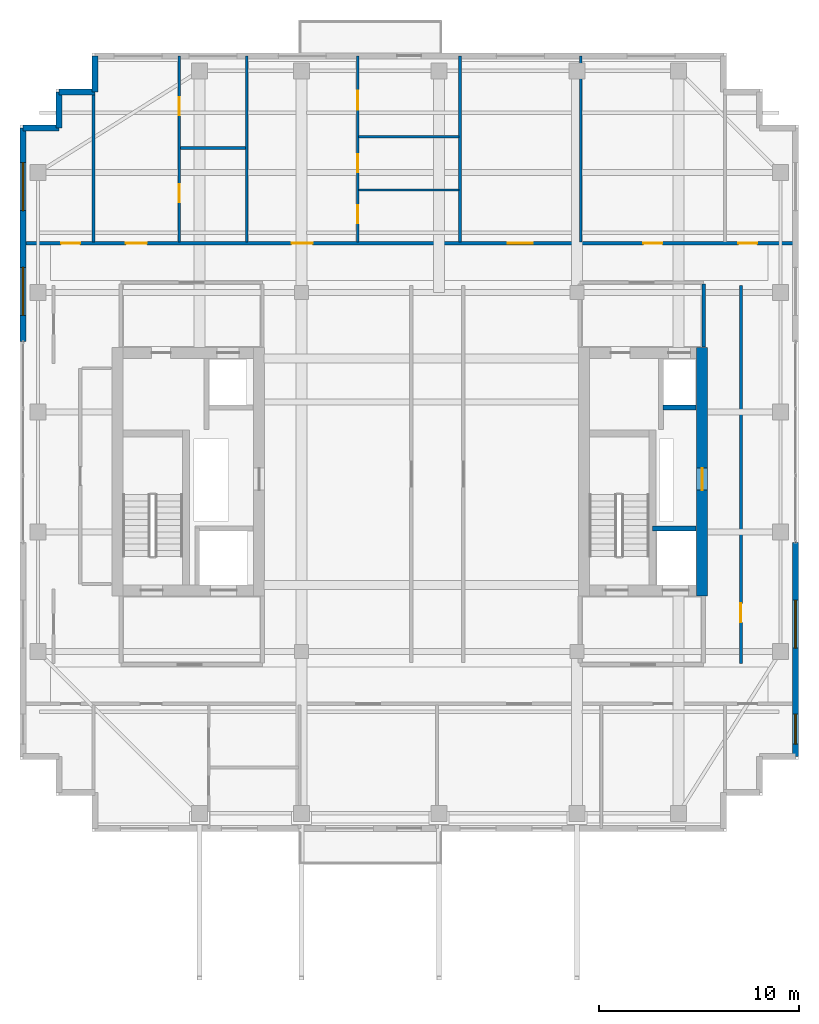
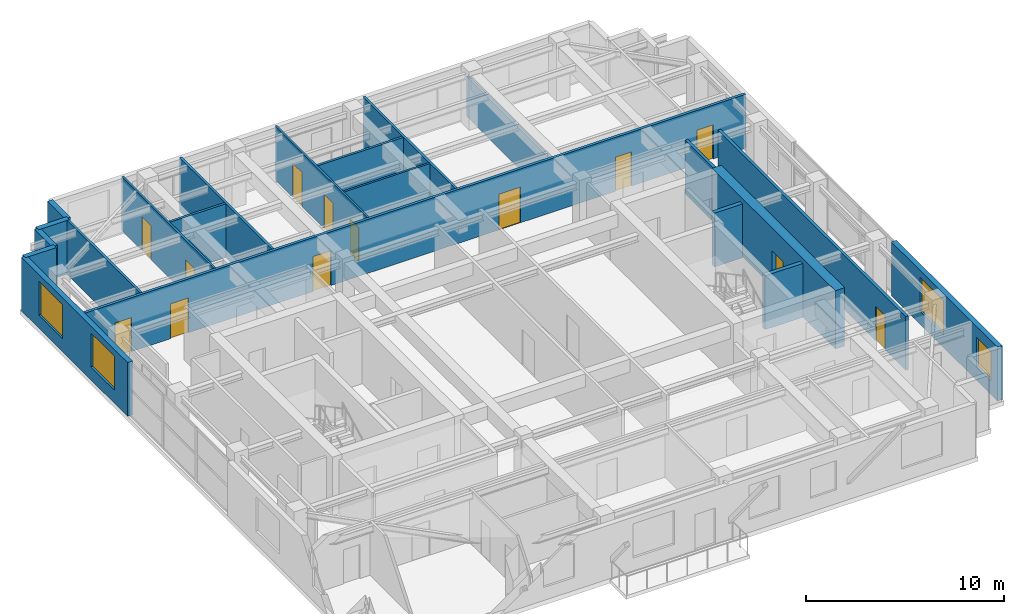
# One storey, part 10 of 14: 21 walls, 13 doors, 4 windows, 17 openings.
"""IFC4 building model written with IfcOpenShell, lengths in metres."""

from ifc_helpers import new_model, si_unit, direction, frame, frame_2d, origin, place, context, subcontext, project, spatial, rectangle, extrude, source, transform, mapped, material, layer, layer_set, type_object, element, fill, save


model = new_model("IFC4")

# Units and contexts
model_context = context("Model", 3, precision=1e-05, world=origin(), true_north=direction((0.0, 1.0)))
body_context = subcontext(model_context, "Body", "Model", "MODEL_VIEW")
ifc_project = project(units=[si_unit("LENGTHUNIT", "METRE"), si_unit("AREAUNIT", "SQUARE_METRE"), si_unit("VOLUMEUNIT", "CUBIC_METRE"), si_unit("PLANEANGLEUNIT", "RADIAN"), si_unit("MASSUNIT", "GRAM", prefix="KILO")], contexts=[model_context])

# Site, building, storey
site_placement = place(None, origin())
site = spatial("IfcSite", under=ifc_project, at=site_placement, CompositionType="ELEMENT")
building_placement = place(site_placement, origin())
building = spatial("IfcBuilding", under=site, at=building_placement, Name="Khoralis Quay Care Tower", CompositionType="ELEMENT")
storey_placement = place(building_placement, frame((0.0, 0.0, 274.5)))
storey = spatial("IfcBuildingStorey", under=building, at=storey_placement, Name="L72", CompositionType="ELEMENT", Elevation=274.5)

# Wall, opening, door
ifc_material_1 = material(Name="Concrete C65/80", Category="concrete")
ifc_layer_1 = layer(ifc_material_1, 0.550048828125)
ifc_layer_set_1 = layer_set([ifc_layer_1], Name="Concrete C65/80")
wall_type_1 = type_object("IfcWallType", Name="WL-CORE-550", PredefinedType="SHEAR", material=ifc_layer_set_1)
wall_1_placement = place(storey_placement, frame((37.175048828125, 14.800048828125, 0.0), z_axis=(0.0, 0.0, 1.0), x_axis=(0.0, 1.0, 0.0)))
wall_1 = element("IfcWall", 1, at=wall_1_placement, inside=storey, type_object=wall_type_1, Name="L72 ECORE East Shear Wall", PredefinedType="SHEAR", context=body_context, shape_type="SweptSolid", body=[
    extrude(rectangle(XDim=12.449951171875, YDim=0.550048828125, at=frame_2d((6.22509765625, 0.0))), origin(), (0.0, 0.0, 1.0), 3.60009765625),
])
opening_1_placement = place(wall_1_placement, frame((5.300048828125, 0.0, 0.0)))
opening_1 = element("IfcOpeningElement", 2, at=opening_1_placement, cuts=wall_1, Name="Opening SD1", PredefinedType="OPENING", context=body_context, shape_type="SweptSolid", body=[
    extrude(rectangle(XDim=1.10009765625, YDim=2.199951171875, at=frame_2d((0.550048828125, 1.10009765625))), frame((0.0, 0.28515625, 0.0), z_axis=(0.0, -1.0, 0.0), x_axis=(1.0, 0.0, 0.0)), (0.0, 0.0, 1.0), 0.570068359375),
])
ifc_material_2 = material(Name="Fire-rated painted steel", Category="steel")
door_type_1 = type_object("IfcDoorType", Name="DR-STAIR-1100X2200", OperationType="NOTDEFINED", PredefinedType="DOOR", material=ifc_material_2)
shared_shape_1 = source(origin(), body_context, "Body", "SweptSolid", [
    extrude(rectangle(XDim=1.10009765625, YDim=2.199951171875, at=frame_2d((0.550048828125, 1.10009765625))), frame((0.0, 0.02490234375, 0.0), z_axis=(0.0, -1.0, 0.0), x_axis=(1.0, 0.0, 0.0)), (0.0, 0.0, 1.0), 0.050048828125),
])
door_1_placement = place(opening_1_placement, frame((1.10009765625, 0.0, 0.0), z_axis=(0.0, 0.0, 1.0), x_axis=(-1.0, 0.0, 0.0)))
door_1 = element("IfcDoor", 3, at=door_1_placement, inside=storey, type_object=door_type_1, Name="L72 East MEP Riser Door", OperationType="SINGLE_SWING_LEFT", OverallHeight=2.199951171875, OverallWidth=1.10009765625, PredefinedType="DOOR", context=body_context, shape_type="MappedRepresentation", body=[
    mapped(shared_shape_1, transform((0.0, 0.0, 0.0), scale=1.0)),
])
fill(opening_1, door_1)

# Wall
ifc_material_3 = material(Name="Gypsum plasterboard on acoustic metal stud")
ifc_layer_2 = layer(ifc_material_3, 0.1650390625)
ifc_layer_set_2 = layer_set([ifc_layer_2], Name="Gypsum plasterboard on acoustic metal stud")
wall_type_2 = type_object("IfcWallType", Name="WL-CORR-165", PredefinedType="PARTITIONING", material=ifc_layer_set_2)
wall_2_placement = place(storey_placement, frame((37.25, 27.27001953125, 0.0), z_axis=(0.0, 0.0, 1.0), x_axis=(0.0, 1.0, 0.0)))
element("IfcWall", 4, at=wall_2_placement, inside=storey, type_object=wall_type_2, Name="L72 East Lift Lobby East Wall", PredefinedType="PARTITIONING", context=body_context, shape_type="SweptSolid", body=[
    extrude(rectangle(XDim=3.152587890625, YDim=0.1650390625, at=frame_2d((1.576171875, 0.0))), origin(), (0.0, 0.0, 1.0), 3.320068359375),
])

# Wall, openings, doors
wall_3_placement = place(storey_placement, frame((3.14501953125, 32.4599609375, 0.0), z_axis=(0.0, 0.0, 1.0), x_axis=(1.0, 0.0, 0.0)))
wall_3 = element("IfcWall", 5, at=wall_3_placement, inside=storey, type_object=wall_type_2, Name="L72 North Main Corridor Wall", PredefinedType="PARTITIONING", context=body_context, shape_type="SweptSolid", body=[
    extrude(rectangle(XDim=38.7099609375, YDim=0.1650390625, at=frame_2d((19.35498046875, 0.0))), origin(), (0.0, 0.0, 1.0), 3.320068359375),
])
opening_2_placement = place(wall_3_placement, frame((5.160400390625, 0.0, 0.0)))
opening_2 = element("IfcOpeningElement", 6, at=opening_2_placement, cuts=wall_3, Name="Opening UD1", PredefinedType="OPENING", context=body_context, shape_type="SweptSolid", body=[
    extrude(rectangle(XDim=1.050048828125, YDim=2.14990234375, at=frame_2d((0.52490234375, 1.074951171875))), frame((0.0, 0.092529296875, 0.0), z_axis=(0.0, -1.0, 0.0), x_axis=(1.0, 0.0, 0.0)), (0.0, 0.0, 1.0), 0.18505859375),
])
opening_3_placement = place(wall_3_placement, frame((13.469482421875, 0.0, 0.0)))
opening_3 = element("IfcOpeningElement", 7, at=opening_3_placement, cuts=wall_3, Name="Opening UD1", PredefinedType="OPENING", context=body_context, shape_type="SweptSolid", body=[
    extrude(rectangle(XDim=1.050048828125, YDim=2.14990234375, at=frame_2d((0.52490234375, 1.074951171875))), frame((0.0, 0.092529296875, 0.0), z_axis=(0.0, -1.0, 0.0), x_axis=(1.0, 0.0, 0.0)), (0.0, 0.0, 1.0), 0.18505859375),
])
opening_4_placement = place(wall_3_placement, frame((24.300048828125, 0.0, 0.0)))
opening_4 = element("IfcOpeningElement", 8, at=opening_4_placement, cuts=wall_3, Name="Opening CD1", PredefinedType="OPENING", context=body_context, shape_type="SweptSolid", body=[
    extrude(rectangle(XDim=1.25, YDim=2.199951171875, at=frame_2d((0.625, 1.10009765625))), frame((0.0, 0.092529296875, 0.0), z_axis=(0.0, -1.0, 0.0), x_axis=(1.0, 0.0, 0.0)), (0.0, 0.0, 1.0), 0.18505859375),
])
opening_5_placement = place(wall_3_placement, frame((31.0849609375, 0.0, 0.0)))
opening_5 = element("IfcOpeningElement", 9, at=opening_5_placement, cuts=wall_3, Name="Opening ID1", PredefinedType="OPENING", context=body_context, shape_type="SweptSolid", body=[
    extrude(rectangle(XDim=0.949951171875, YDim=2.10009765625, at=frame_2d((0.47509765625, 1.050048828125))), frame((0.0, 0.092529296875, 0.0), z_axis=(0.0, -1.0, 0.0), x_axis=(1.0, 0.0, 0.0)), (0.0, 0.0, 1.0), 0.18505859375),
])
opening_6_placement = place(wall_3_placement, frame((1.919921875, 0.0, 0.0)))
opening_6 = element("IfcOpeningElement", 10, at=opening_6_placement, cuts=wall_3, Name="Opening ID1", PredefinedType="OPENING", context=body_context, shape_type="SweptSolid", body=[
    extrude(rectangle(XDim=0.949951171875, YDim=2.10009765625, at=frame_2d((0.47509765625, 1.050048828125))), frame((0.0, 0.092529296875, 0.0), z_axis=(0.0, -1.0, 0.0), x_axis=(1.0, 0.0, 0.0)), (0.0, 0.0, 1.0), 0.18505859375),
])
opening_7_placement = place(wall_3_placement, frame((35.840087890625, 0.0, 0.0)))
opening_7 = element("IfcOpeningElement", 11, at=opening_7_placement, cuts=wall_3, Name="Opening ID1", PredefinedType="OPENING", context=body_context, shape_type="SweptSolid", body=[
    extrude(rectangle(XDim=0.949951171875, YDim=2.10009765625, at=frame_2d((0.47509765625, 1.050048828125))), frame((0.0, 0.092529296875, 0.0), z_axis=(0.0, -1.0, 0.0), x_axis=(1.0, 0.0, 0.0)), (0.0, 0.0, 1.0), 0.18505859375),
])
ifc_material_4 = material(Name="Acoustic hardwood timber", Category="wood")
door_type_2 = type_object("IfcDoorType", Name="DR-CARE-1250X2200", OperationType="NOTDEFINED", PredefinedType="DOOR", material=ifc_material_4)
shared_shape_2 = source(origin(), body_context, "Body", "SweptSolid", [
    extrude(rectangle(XDim=1.25, YDim=2.199951171875, at=frame_2d((0.625, 1.10009765625))), frame((0.0, 0.02490234375, 0.0), z_axis=(0.0, -1.0, 0.0), x_axis=(1.0, 0.0, 0.0)), (0.0, 0.0, 1.0), 0.050048828125),
])
door_2_placement = place(opening_4_placement, origin())
door_2 = element("IfcDoor", 12, at=door_2_placement, inside=storey, type_object=door_type_2, Name="L72 Physiotherapy Treatment Clinic Door", OperationType="SINGLE_SWING_RIGHT", OverallHeight=2.199951171875, OverallWidth=1.25, PredefinedType="DOOR", context=body_context, shape_type="MappedRepresentation", body=[
    mapped(shared_shape_2, transform((0.0, 0.0, 0.0), scale=1.0)),
])
fill(opening_4, door_2)
door_type_3 = type_object("IfcDoorType", Name="DR-ROOM-950X2100", OperationType="NOTDEFINED", PredefinedType="DOOR", material=ifc_material_4)
shared_shape_3 = source(origin(), body_context, "Body", "SweptSolid", [
    extrude(rectangle(XDim=0.949951171875, YDim=2.10009765625, at=frame_2d((0.47509765625, 1.050048828125))), frame((0.0, 0.02490234375, 0.0), z_axis=(0.0, -1.0, 0.0), x_axis=(1.0, 0.0, 0.0)), (0.0, 0.0, 1.0), 0.050048828125),
])
door_3_placement = place(opening_5_placement, origin())
door_3 = element("IfcDoor", 13, at=door_3_placement, inside=storey, type_object=door_type_3, Name="L72 Family Case Conference Room Door", OperationType="SINGLE_SWING_RIGHT", OverallHeight=2.10009765625, OverallWidth=0.949951171875, PredefinedType="DOOR", context=body_context, shape_type="MappedRepresentation", body=[
    mapped(shared_shape_3, transform((0.0, 0.0, 0.0), scale=1.0)),
])
fill(opening_5, door_3)
door_4_placement = place(opening_6_placement, origin())
door_4 = element("IfcDoor", 14, at=door_4_placement, inside=storey, type_object=door_type_3, Name="L72 NW Corner Door", OperationType="SINGLE_SWING_RIGHT", OverallHeight=2.10009765625, OverallWidth=0.949951171875, PredefinedType="DOOR", context=body_context, shape_type="MappedRepresentation", body=[
    mapped(shared_shape_3, transform((0.0, 0.0, 0.0), scale=1.0)),
])
fill(opening_6, door_4)
door_5_placement = place(opening_7_placement, origin())
door_5 = element("IfcDoor", 15, at=door_5_placement, inside=storey, type_object=door_type_3, Name="L72 NE Corner Door", OperationType="SINGLE_SWING_LEFT", OverallHeight=2.10009765625, OverallWidth=0.949951171875, PredefinedType="DOOR", context=body_context, shape_type="MappedRepresentation", body=[
    mapped(shared_shape_3, transform((0.0, 0.0, 0.0), scale=1.0)),
])
fill(opening_7, door_5)
door_type_4 = type_object("IfcDoorType", Name="DR-SUITE-1050X2150", OperationType="NOTDEFINED", PredefinedType="DOOR", material=ifc_material_4)
shared_shape_4 = source(origin(), body_context, "Body", "SweptSolid", [
    extrude(rectangle(XDim=1.050048828125, YDim=2.14990234375, at=frame_2d((0.52490234375, 1.074951171875))), frame((0.0, 0.02490234375, 0.0), z_axis=(0.0, -1.0, 0.0), x_axis=(1.0, 0.0, 0.0)), (0.0, 0.0, 1.0), 0.050048828125),
])
door_6_placement = place(opening_2_placement, origin())
door_6 = element("IfcDoor", 16, at=door_6_placement, inside=storey, type_object=door_type_4, Name="L72 Studio NB0 Entrance", OperationType="SINGLE_SWING_RIGHT", OverallHeight=2.14990234375, OverallWidth=1.050048828125, PredefinedType="DOOR", context=body_context, shape_type="MappedRepresentation", body=[
    mapped(shared_shape_4, transform((0.0, 0.0, 0.0), scale=1.0)),
])
fill(opening_2, door_6)
door_7_placement = place(opening_3_placement, origin())
door_7 = element("IfcDoor", 17, at=door_7_placement, inside=storey, type_object=door_type_4, Name="L72 Apartment NB1 Entrance Door", OperationType="SINGLE_SWING_LEFT", OverallHeight=2.14990234375, OverallWidth=1.050048828125, PredefinedType="DOOR", context=body_context, shape_type="MappedRepresentation", body=[
    mapped(shared_shape_4, transform((0.0, 0.0, 0.0), scale=1.0)),
])
fill(opening_3, door_7)

# Wall, opening, door
wall_4_placement = place(storey_placement, frame((39.1201171875, 11.39990234375, 0.0), z_axis=(0.0, 0.0, 1.0), x_axis=(0.0, 1.0, 0.0)))
wall_4 = element("IfcWall", 18, at=wall_4_placement, inside=storey, type_object=wall_type_2, Name="L72 East Sky Suite Wall", PredefinedType="PARTITIONING", context=body_context, shape_type="SweptSolid", body=[
    extrude(rectangle(XDim=18.9501953125, YDim=0.1650390625, at=frame_2d((9.47509765625, 0.0))), origin(), (0.0, 0.0, 1.0), 3.320068359375),
])
opening_8_placement = place(wall_4_placement, frame((2.074951171875, 0.0, 0.0)))
opening_8 = element("IfcOpeningElement", 19, at=opening_8_placement, cuts=wall_4, Name="Opening ID1", PredefinedType="OPENING", context=body_context, shape_type="SweptSolid", body=[
    extrude(rectangle(XDim=0.949951171875, YDim=2.10009765625, at=frame_2d((0.47509765625, 1.050048828125))), frame((0.0, 0.092529296875, 0.0), z_axis=(0.0, -1.0, 0.0), x_axis=(1.0, 0.0, 0.0)), (0.0, 0.0, 1.0), 0.18505859375),
])
door_8_placement = place(opening_8_placement, origin())
door_8 = element("IfcDoor", 20, at=door_8_placement, inside=storey, type_object=door_type_3, Name="L72 East Suite Door", OperationType="SINGLE_SWING_RIGHT", OverallHeight=2.10009765625, OverallWidth=0.949951171875, PredefinedType="DOOR", context=body_context, shape_type="MappedRepresentation", body=[
    mapped(shared_shape_3, transform((0.0, 0.0, 0.0), scale=1.0)),
])
fill(opening_8, door_8)

# Wall, openings, windows
ifc_material_5 = material(Name="Precast concrete C45/55", Category="concrete")
ifc_layer_3 = layer(ifc_material_5, 0.300048828125)
ifc_layer_set_3 = layer_set([ifc_layer_3], Name="Precast concrete C45/55")
wall_type_3 = type_object("IfcWallType", Name="WL-EXT-REF-300", PredefinedType="SOLIDWALL", material=ifc_layer_set_3)
wall_5_placement = place(storey_placement, frame((41.85009765625, 6.75, 0.0), z_axis=(0.0, 0.0, 1.0), x_axis=(0.0, 1.0, 0.0)))
wall_5 = element("IfcWall", 21, at=wall_5_placement, inside=storey, type_object=wall_type_3, Name="L72 External Facade Wall WL-EXT-L72-P1-E5A", PredefinedType="SOLIDWALL", context=body_context, shape_type="SweptSolid", body=[
    extrude(rectangle(XDim=10.7099609375, YDim=0.300048828125, at=frame_2d((5.35498046875, 0.0))), origin(), (0.0, 0.0, 1.0), 3.320068359375),
])
opening_9_placement = place(wall_5_placement, frame((0.625, 0.0, 0.85009765625)))
opening_9 = element("IfcOpeningElement", 22, at=opening_9_placement, cuts=wall_5, Name="Opening W3", PredefinedType="OPENING", context=body_context, shape_type="SweptSolid", body=[
    extrude(rectangle(XDim=1.5, YDim=1.800048828125, at=frame_2d((0.75, 0.89990234375))), frame((0.0, 0.16015625, 0.0), z_axis=(0.0, -1.0, 0.0), x_axis=(1.0, 0.0, 0.0)), (0.0, 0.0, 1.0), 0.320068359375),
])
opening_10_placement = place(wall_5_placement, frame((5.429931640625, 0.0, 0.800048828125)))
opening_10 = element("IfcOpeningElement", 23, at=opening_10_placement, cuts=wall_5, Name="Opening W1", PredefinedType="OPENING", context=body_context, shape_type="SweptSolid", body=[
    extrude(rectangle(XDim=2.39990234375, YDim=2.10009765625, at=frame_2d((1.199951171875, 1.050048828125))), frame((0.0, 0.16015625, 0.0), z_axis=(0.0, -1.0, 0.0), x_axis=(1.0, 0.0, 0.0)), (0.0, 0.0, 1.0), 0.320068359375),
])
ifc_material_6 = material(Name="Low-E solar-control double glazing", Category="glass")
window_type_1 = type_object("IfcWindowType", Name="WN-CLIN-1500X1800", PartitioningType="SINGLE_PANEL", PredefinedType="WINDOW", material=ifc_material_6)
shared_shape_5 = source(origin(), body_context, "Body", "SweptSolid", [
    extrude(rectangle(XDim=1.5, YDim=1.800048828125, at=frame_2d((0.75, 0.89990234375))), frame((0.0, 0.030029296875, 0.0), z_axis=(0.0, -1.0, 0.0), x_axis=(1.0, 0.0, 0.0)), (0.0, 0.0, 1.0), 0.06005859375),
])
window_1_placement = place(opening_9_placement, origin())
window_1 = element("IfcWindow", 24, at=window_1_placement, inside=storey, type_object=window_type_1, Name="WN-L72-P1-E5A Facade Window 01", OverallHeight=1.800048828125, OverallWidth=1.5, PartitioningType="SINGLE_PANEL", PredefinedType="WINDOW", context=body_context, shape_type="MappedRepresentation", body=[
    mapped(shared_shape_5, transform((0.0, 0.0, 0.0), scale=1.0)),
])
fill(opening_9, window_1)
window_type_2 = type_object("IfcWindowType", Name="WN-POD-2400X2100", PartitioningType="SINGLE_PANEL", PredefinedType="WINDOW", material=ifc_material_6)
shared_shape_6 = source(origin(), body_context, "Body", "SweptSolid", [
    extrude(rectangle(XDim=2.39990234375, YDim=2.10009765625, at=frame_2d((1.199951171875, 1.050048828125))), frame((0.0, 0.030029296875, 0.0), z_axis=(0.0, -1.0, 0.0), x_axis=(1.0, 0.0, 0.0)), (0.0, 0.0, 1.0), 0.06005859375),
])
window_2_placement = place(opening_10_placement, origin())
window_2 = element("IfcWindow", 25, at=window_2_placement, inside=storey, type_object=window_type_2, Name="WN-L72-P1-E5A Facade Window 02", OverallHeight=2.10009765625, OverallWidth=2.39990234375, PartitioningType="SINGLE_PANEL", PredefinedType="WINDOW", context=body_context, shape_type="MappedRepresentation", body=[
    mapped(shared_shape_6, transform((0.0, 0.0, 0.0), scale=1.0)),
])
fill(opening_10, window_2)

# Walls
for number, where, z_axis, x_axis, name in (
    (26, (6.75, 41.85009765625, 0.0), (0.0, 0.0, 1.0), (0.0, -1.0, 0.0), "L72 External Facade Wall WL-EXT-L72-P1-C11"),
    (27, (6.75, 40.050048828125, 0.0), (0.0, 0.0, 1.0), (-1.0, 0.0, 0.0), "L72 External Facade Wall WL-EXT-L72-P1-C12"),
    (28, (4.949951171875, 40.050048828125, 0.0), (0.0, 0.0, 1.0), (0.0, -1.0, 0.0), "L72 External Facade Wall WL-EXT-L72-P1-C13"),
    (29, (4.949951171875, 38.25, 0.0), (0.0, 0.0, 1.0), (-1.0, 0.0, 0.0), "L72 External Facade Wall WL-EXT-L72-P1-C14"),
):
    element("IfcWall", number, at=place(storey_placement, frame(where, z_axis=z_axis, x_axis=x_axis)), inside=storey, type_object=wall_type_3, Name=name, PredefinedType="SOLIDWALL", context=body_context, shape_type="SweptSolid", body=[
        extrude(rectangle(XDim=1.800048828125, YDim=0.300048828125, at=frame_2d((0.89990234375, 0.0))), origin(), (0.0, 0.0, 1.0), 3.320068359375),
    ])

# Wall, openings, windows
wall_6_placement = place(storey_placement, frame((3.14990234375, 38.25, 0.0), z_axis=(0.0, 0.0, 1.0), x_axis=(0.0, -1.0, 0.0)))
wall_6 = element("IfcWall", 30, at=wall_6_placement, inside=storey, type_object=wall_type_3, Name="L72 External Facade Wall WL-EXT-L72-P1-E15A", PredefinedType="SOLIDWALL", context=body_context, shape_type="SweptSolid", body=[
    extrude(rectangle(XDim=10.7099609375, YDim=0.300048828125, at=frame_2d((5.35498046875, 0.0))), origin(), (0.0, 0.0, 1.0), 3.320068359375),
])
opening_11_placement = place(wall_6_placement, frame((1.7451171875, 0.0, 0.800048828125)))
opening_11 = element("IfcOpeningElement", 31, at=opening_11_placement, cuts=wall_6, Name="Opening W1", PredefinedType="OPENING", context=body_context, shape_type="SweptSolid", body=[
    extrude(rectangle(XDim=2.39990234375, YDim=2.10009765625, at=frame_2d((1.199951171875, 1.050048828125))), frame((0.0, 0.16015625, 0.0), z_axis=(0.0, -1.0, 0.0), x_axis=(1.0, 0.0, 0.0)), (0.0, 0.0, 1.0), 0.320068359375),
])
opening_12_placement = place(wall_6_placement, frame((7.0, 0.0, 0.800048828125)))
opening_12 = element("IfcOpeningElement", 32, at=opening_12_placement, cuts=wall_6, Name="Opening W1", PredefinedType="OPENING", context=body_context, shape_type="SweptSolid", body=[
    extrude(rectangle(XDim=2.39990234375, YDim=2.10009765625, at=frame_2d((1.199951171875, 1.050048828125))), frame((0.0, 0.16015625, 0.0), z_axis=(0.0, -1.0, 0.0), x_axis=(1.0, 0.0, 0.0)), (0.0, 0.0, 1.0), 0.320068359375),
])
window_3_placement = place(opening_11_placement, origin())
window_3 = element("IfcWindow", 33, at=window_3_placement, inside=storey, type_object=window_type_2, Name="WN-L72-P1-E15A Facade Window 01", OverallHeight=2.10009765625, OverallWidth=2.39990234375, PartitioningType="SINGLE_PANEL", PredefinedType="WINDOW", context=body_context, shape_type="MappedRepresentation", body=[
    mapped(shared_shape_6, transform((0.0, 0.0, 0.0), scale=1.0)),
])
fill(opening_11, window_3)
window_4_placement = place(opening_12_placement, origin())
window_4 = element("IfcWindow", 34, at=window_4_placement, inside=storey, type_object=window_type_2, Name="WN-L72-P1-E15A Facade Window 02", OverallHeight=2.10009765625, OverallWidth=2.39990234375, PartitioningType="SINGLE_PANEL", PredefinedType="WINDOW", context=body_context, shape_type="MappedRepresentation", body=[
    mapped(shared_shape_6, transform((0.0, 0.0, 0.0), scale=1.0)),
])
fill(opening_12, window_4)

# Wall, openings, doors
ifc_layer_4 = layer(ifc_material_3, 0.114990234375)
ifc_layer_set_4 = layer_set([ifc_layer_4], Name="Gypsum plasterboard on acoustic metal stud")
wall_type_4 = type_object("IfcWallType", Name="WL-PART-115", PredefinedType="PARTITIONING", material=ifc_layer_set_4)
wall_7_placement = place(storey_placement, frame((10.98095703125, 32.53759765625, 0.0), z_axis=(0.0, 0.0, 1.0), x_axis=(0.0, 1.0, 0.0)))
wall_7 = element("IfcWall", 35, at=wall_7_placement, inside=storey, type_object=wall_type_4, Name="L72 Studio 0 Internal Wall", PredefinedType="PARTITIONING", context=body_context, shape_type="SweptSolid", body=[
    extrude(rectangle(XDim=9.3173828125, YDim=0.114990234375, at=frame_2d((4.65869140625, 0.0))), origin(), (0.0, 0.0, 1.0), 3.320068359375),
])
opening_13_placement = place(wall_7_placement, frame((6.3525390625, 0.0, 0.0)))
opening_13 = element("IfcOpeningElement", 36, at=opening_13_placement, cuts=wall_7, Name="Opening WD1", PredefinedType="OPENING", context=body_context, shape_type="SweptSolid", body=[
    extrude(rectangle(XDim=0.89990234375, YDim=2.10009765625, at=frame_2d((0.449951171875, 1.050048828125))), frame((0.0, 0.0673828125, 0.0), z_axis=(0.0, -1.0, 0.0), x_axis=(1.0, 0.0, 0.0)), (0.0, 0.0, 1.0), 0.135009765625),
])
opening_14_placement = place(wall_7_placement, frame((1.972412109375, 0.0, 0.0)))
opening_14 = element("IfcOpeningElement", 37, at=opening_14_placement, cuts=wall_7, Name="Opening WD1", PredefinedType="OPENING", context=body_context, shape_type="SweptSolid", body=[
    extrude(rectangle(XDim=0.89990234375, YDim=2.10009765625, at=frame_2d((0.449951171875, 1.050048828125))), frame((0.0, 0.0673828125, 0.0), z_axis=(0.0, -1.0, 0.0), x_axis=(1.0, 0.0, 0.0)), (0.0, 0.0, 1.0), 0.135009765625),
])
door_type_5 = type_object("IfcDoorType", Name="DR-BATH-900X2100", OperationType="NOTDEFINED", PredefinedType="DOOR", material=ifc_material_4)
shared_shape_7 = source(origin(), body_context, "Body", "SweptSolid", [
    extrude(rectangle(XDim=0.89990234375, YDim=2.10009765625, at=frame_2d((0.449951171875, 1.050048828125))), frame((0.0, 0.02490234375, 0.0), z_axis=(0.0, -1.0, 0.0), x_axis=(1.0, 0.0, 0.0)), (0.0, 0.0, 1.0), 0.050048828125),
])
door_9_placement = place(opening_13_placement, frame((0.89990234375, 0.0, 0.0), z_axis=(0.0, 0.0, 1.0), x_axis=(-1.0, 0.0, 0.0)))
door_9 = element("IfcDoor", 38, at=door_9_placement, inside=storey, type_object=door_type_5, Name="L72 Studio SKT Door", OperationType="SINGLE_SWING_LEFT", OverallHeight=2.10009765625, OverallWidth=0.89990234375, PredefinedType="DOOR", context=body_context, shape_type="MappedRepresentation", body=[
    mapped(shared_shape_7, transform((0.0, 0.0, 0.0), scale=1.0)),
])
fill(opening_13, door_9)
door_10_placement = place(opening_14_placement, frame((0.89990234375, 0.0, 0.0), z_axis=(0.0, 0.0, 1.0), x_axis=(-1.0, 0.0, 0.0)))
door_10 = element("IfcDoor", 39, at=door_10_placement, inside=storey, type_object=door_type_5, Name="L72 Studio SBH Door", OperationType="SINGLE_SWING_RIGHT", OverallHeight=2.10009765625, OverallWidth=0.89990234375, PredefinedType="DOOR", context=body_context, shape_type="MappedRepresentation", body=[
    mapped(shared_shape_7, transform((0.0, 0.0, 0.0), scale=1.0)),
])
fill(opening_14, door_10)

wall_8_placement = place(storey_placement, frame((19.9189453125, 32.53759765625, 0.0), z_axis=(0.0, 0.0, 1.0), x_axis=(0.0, 1.0, 0.0)))
wall_8 = element("IfcWall", 40, at=wall_8_placement, inside=storey, type_object=wall_type_4, Name="L72 Unit 1 Internal Wall", PredefinedType="PARTITIONING", context=body_context, shape_type="SweptSolid", body=[
    extrude(rectangle(XDim=9.3173828125, YDim=0.114990234375, at=frame_2d((4.65869140625, 0.0))), origin(), (0.0, 0.0, 1.0), 3.320068359375),
])
opening_15_placement = place(wall_8_placement, frame((6.613525390625, 0.0, 0.0)))
opening_15 = element("IfcOpeningElement", 41, at=opening_15_placement, cuts=wall_8, Name="Opening ID1", PredefinedType="OPENING", context=body_context, shape_type="SweptSolid", body=[
    extrude(rectangle(XDim=0.949951171875, YDim=2.10009765625, at=frame_2d((0.47509765625, 1.050048828125))), frame((0.0, 0.0673828125, 0.0), z_axis=(0.0, -1.0, 0.0), x_axis=(1.0, 0.0, 0.0)), (0.0, 0.0, 1.0), 0.135009765625),
])
opening_16_placement = place(wall_8_placement, frame((3.47900390625, 0.0, 0.0)))
opening_16 = element("IfcOpeningElement", 42, at=opening_16_placement, cuts=wall_8, Name="Opening WD1", PredefinedType="OPENING", context=body_context, shape_type="SweptSolid", body=[
    extrude(rectangle(XDim=0.89990234375, YDim=2.10009765625, at=frame_2d((0.449951171875, 1.050048828125))), frame((0.0, 0.0673828125, 0.0), z_axis=(0.0, -1.0, 0.0), x_axis=(1.0, 0.0, 0.0)), (0.0, 0.0, 1.0), 0.135009765625),
])
opening_17_placement = place(wall_8_placement, frame((0.923095703125, 0.0, 0.0)))
opening_17 = element("IfcOpeningElement", 43, at=opening_17_placement, cuts=wall_8, Name="Opening WD1", PredefinedType="OPENING", context=body_context, shape_type="SweptSolid", body=[
    extrude(rectangle(XDim=0.89990234375, YDim=2.10009765625, at=frame_2d((0.449951171875, 1.050048828125))), frame((0.0, 0.0673828125, 0.0), z_axis=(0.0, -1.0, 0.0), x_axis=(1.0, 0.0, 0.0)), (0.0, 0.0, 1.0), 0.135009765625),
])
door_11_placement = place(opening_16_placement, frame((0.89990234375, 0.0, 0.0), z_axis=(0.0, 0.0, 1.0), x_axis=(-1.0, 0.0, 0.0)))
door_11 = element("IfcDoor", 44, at=door_11_placement, inside=storey, type_object=door_type_5, Name="L72 Apartment NB1 KIT Door", OperationType="SINGLE_SWING_LEFT", OverallHeight=2.10009765625, OverallWidth=0.89990234375, PredefinedType="DOOR", context=body_context, shape_type="MappedRepresentation", body=[
    mapped(shared_shape_7, transform((0.0, 0.0, 0.0), scale=1.0)),
])
fill(opening_16, door_11)
door_12_placement = place(opening_17_placement, frame((0.89990234375, 0.0, 0.0), z_axis=(0.0, 0.0, 1.0), x_axis=(-1.0, 0.0, 0.0)))
door_12 = element("IfcDoor", 45, at=door_12_placement, inside=storey, type_object=door_type_5, Name="L72 Apartment NB1 BTH Door", OperationType="SINGLE_SWING_RIGHT", OverallHeight=2.10009765625, OverallWidth=0.89990234375, PredefinedType="DOOR", context=body_context, shape_type="MappedRepresentation", body=[
    mapped(shared_shape_7, transform((0.0, 0.0, 0.0), scale=1.0)),
])
fill(opening_17, door_12)
door_13_placement = place(opening_15_placement, frame((0.949951171875, 0.0, 0.0), z_axis=(0.0, 0.0, 1.0), x_axis=(-1.0, 0.0, 0.0)))
door_13 = element("IfcDoor", 46, at=door_13_placement, inside=storey, type_object=door_type_3, Name="L72 Apartment NB1 BED Door", OperationType="SINGLE_SWING_RIGHT", OverallHeight=2.10009765625, OverallWidth=0.949951171875, PredefinedType="DOOR", context=body_context, shape_type="MappedRepresentation", body=[
    mapped(shared_shape_3, transform((0.0, 0.0, 0.0), scale=1.0)),
])
fill(opening_15, door_13)

# Walls
wall_9_placement = place(storey_placement, frame((19.971435546875, 35.131103515625, 0.0), z_axis=(0.0, 0.0, 1.0), x_axis=(1.0, 0.0, 0.0)))
element("IfcWall", 47, at=wall_9_placement, inside=storey, type_object=wall_type_4, Name="L72 Unit 1 Kitchen Wall", PredefinedType="PARTITIONING", context=body_context, shape_type="SweptSolid", body=[
    extrude(rectangle(XDim=5.013671875, YDim=0.114990234375, at=frame_2d((2.5068359375, 0.0))), origin(), (0.0, 0.0, 1.0), 3.320068359375),
])
ifc_material_7 = material(Name="Moisture-resistant gypsum and ceramic tile")
ifc_layer_5 = layer(ifc_material_7, 0.280029296875)
ifc_layer_set_5 = layer_set([ifc_layer_5], Name="Moisture-resistant gypsum and ceramic tile")
wall_type_5 = type_object("IfcWallType", Name="WL-PLUMB-280", PredefinedType="PLUMBINGWALL", material=ifc_layer_set_5)
wall_10_placement = place(storey_placement, frame((11.033447265625, 37.22998046875, 0.0), z_axis=(0.0, 0.0, 1.0), x_axis=(1.0, 0.0, 0.0)))
element("IfcWall", 48, at=wall_10_placement, inside=storey, type_object=wall_type_5, Name="L72 Studio 0 Wet Split", PredefinedType="PLUMBINGWALL", context=body_context, shape_type="SweptSolid", body=[
    extrude(rectangle(XDim=3.261474609375, YDim=0.139892578125, at=frame_2d((1.630859375, 0.0))), origin(), (0.0, 0.0, 1.0), 3.320068359375),
])
wall_11_placement = place(storey_placement, frame((19.971435546875, 37.802001953125, 0.0), z_axis=(0.0, 0.0, 1.0), x_axis=(1.0, 0.0, 0.0)))
element("IfcWall", 49, at=wall_11_placement, inside=storey, type_object=wall_type_5, Name="L72 Unit 1 Wet Wall", PredefinedType="PLUMBINGWALL", context=body_context, shape_type="SweptSolid", body=[
    extrude(rectangle(XDim=5.013671875, YDim=0.139892578125, at=frame_2d((2.5068359375, 0.0))), origin(), (0.0, 0.0, 1.0), 3.320068359375),
])
ifc_layer_6 = layer(ifc_material_3, 0.239990234375)
ifc_layer_set_6 = layer_set([ifc_layer_6], Name="Gypsum plasterboard on acoustic metal stud")
wall_type_6 = type_object("IfcWallType", Name="WL-SHAFT-240", PredefinedType="PARTITIONING", material=ifc_layer_set_6)
wall_12_placement = place(storey_placement, frame((34.679931640625, 18.169921875, 0.0), z_axis=(0.0, 0.0, 1.0), x_axis=(1.0, 0.0, 0.0)))
element("IfcWall", 50, at=wall_12_placement, inside=storey, type_object=wall_type_6, Name="L72 FFL-2 Shaft Wall North", PredefinedType="PARTITIONING", context=body_context, shape_type="SweptSolid", body=[
    extrude(rectangle(XDim=2.199951171875, YDim=0.239990234375, at=frame_2d((1.10009765625, 0.0))), origin(), (0.0, 0.0, 1.0), 3.320068359375),
])
wall_13_placement = place(storey_placement, frame((35.22509765625, 24.22998046875, 0.0), z_axis=(0.0, 0.0, 1.0), x_axis=(1.0, 0.0, 0.0)))
element("IfcWall", 51, at=wall_13_placement, inside=storey, type_object=wall_type_6, Name="L72 High-Rise Shaft South Wall East", PredefinedType="PARTITIONING", context=body_context, shape_type="SweptSolid", body=[
    extrude(rectangle(XDim=1.65478515625, YDim=0.239990234375, at=frame_2d((0.827392578125, 0.0))), origin(), (0.0, 0.0, 1.0), 3.320068359375),
])
ifc_layer_7 = layer(ifc_material_3, 0.139892578125)
ifc_layer_set_7 = layer_set([ifc_layer_7], Name="Gypsum plasterboard on acoustic metal stud")
wall_type_7 = type_object("IfcWallType", Name="WL-UNIT-140", PredefinedType="PARTITIONING", material=ifc_layer_set_7)
wall_14_placement = place(storey_placement, frame((6.679931640625, 32.53759765625, 0.0), z_axis=(0.0, 0.0, 1.0), x_axis=(0.0, 1.0, 0.0)))
element("IfcWall", 52, at=wall_14_placement, inside=storey, type_object=wall_type_7, Name="L72 NB Demising Wall 0", PredefinedType="PARTITIONING", context=body_context, shape_type="SweptSolid", body=[
    extrude(rectangle(XDim=7.517333984375, YDim=0.139892578125, at=frame_2d((3.7587890625, 0.0))), origin(), (0.0, 0.0, 1.0), 3.320068359375),
])
for number, where, z_axis, x_axis, name in (
    (53, (14.360107421875, 32.53759765625, 0.0), (0.0, 0.0, 1.0), (0.0, 1.0, 0.0), "L72 NB Demising Wall 1"),
    (54, (25.050048828125, 32.53759765625, 0.0), (0.0, 0.0, 1.0), (0.0, 1.0, 0.0), "L72 NB Demising Wall 2"),
):
    element("IfcWall", number, at=place(storey_placement, frame(where, z_axis=z_axis, x_axis=x_axis)), inside=storey, type_object=wall_type_7, Name=name, PredefinedType="PARTITIONING", context=body_context, shape_type="SweptSolid", body=[
        extrude(rectangle(XDim=9.3173828125, YDim=0.139892578125, at=frame_2d((4.65869140625, 0.0))), origin(), (0.0, 0.0, 1.0), 3.320068359375),
    ])
wall_15_placement = place(storey_placement, frame((31.090087890625, 32.53759765625, 0.0), z_axis=(0.0, 0.0, 1.0), x_axis=(0.0, 1.0, 0.0)))
element("IfcWall", 55, at=wall_15_placement, inside=storey, type_object=wall_type_7, Name="L72 NB Demising Wall 3", PredefinedType="PARTITIONING", context=body_context, shape_type="SweptSolid", body=[
    extrude(rectangle(XDim=9.3173828125, YDim=0.139892578125, at=frame_2d((4.65869140625, 0.0))), origin(), (0.0, 0.0, 1.0), 2.469970703125),
])

save(model, "model.ifc")
